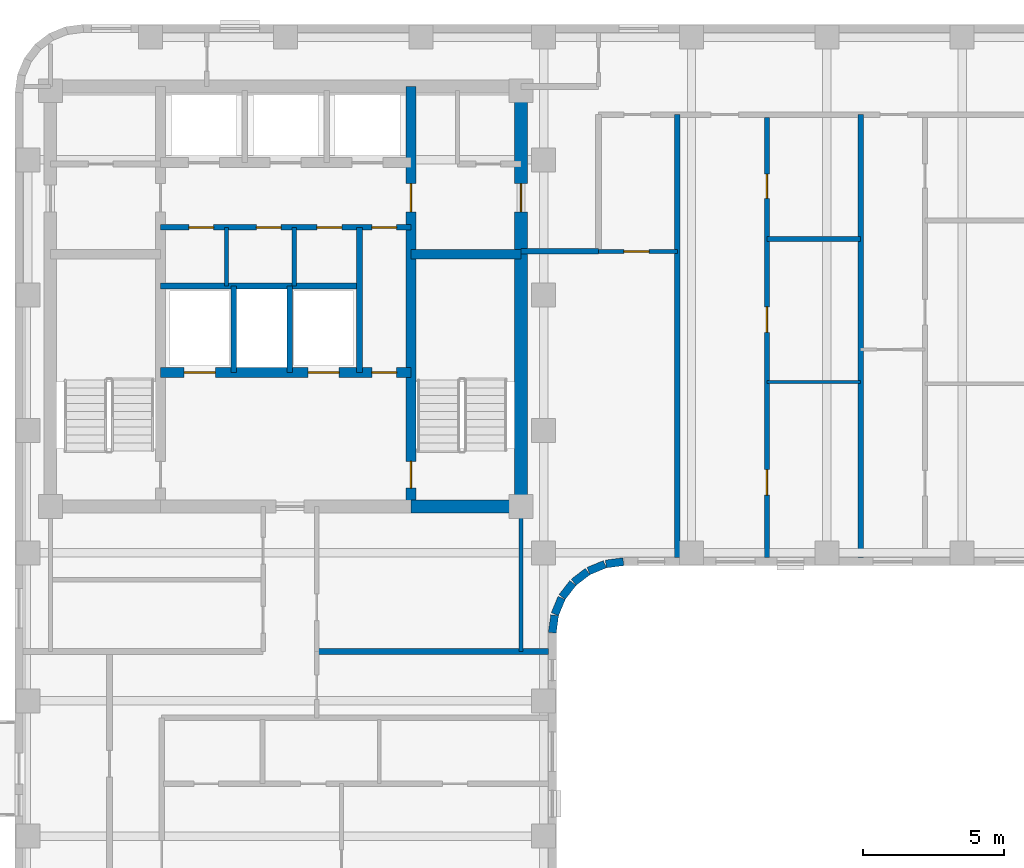
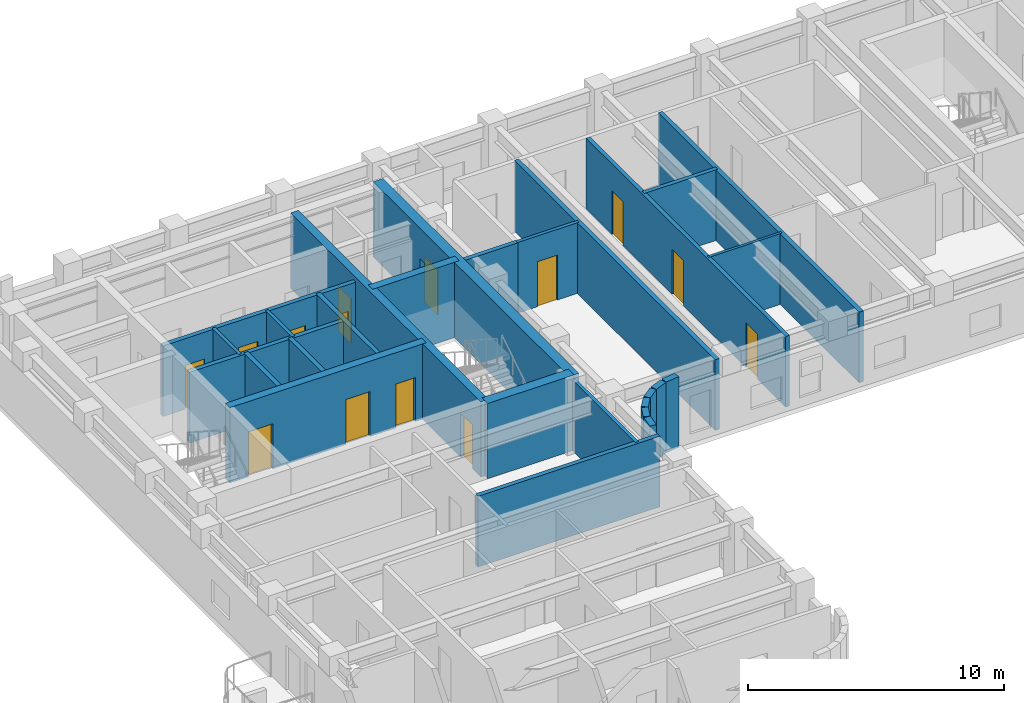
# One storey, part 4 of 10: 27 walls, 14 doors, 14 openings.
"""IFC4 building model written with IfcOpenShell, lengths in metres."""

from ifc_helpers import new_model, si_unit, direction, frame, frame_2d, origin, place, context, subcontext, project, spatial, rectangle, extrude, material, layer, layer_set, type_object, element, fill, save


model = new_model("IFC4")

# Units and contexts
model_context = context("Model", 3, precision=1e-05, world=origin(), true_north=direction((0.0, 1.0)))
body_context = subcontext(model_context, "Body", "Model", "MODEL_VIEW")
ifc_project = project(units=[si_unit("LENGTHUNIT", "METRE"), si_unit("AREAUNIT", "SQUARE_METRE"), si_unit("VOLUMEUNIT", "CUBIC_METRE"), si_unit("PLANEANGLEUNIT", "RADIAN"), si_unit("MASSUNIT", "GRAM", prefix="KILO")], contexts=[model_context])

# Site, building, storey
site_placement = place(None, origin())
site = spatial("IfcSite", under=ifc_project, at=site_placement, CompositionType="ELEMENT")
building_placement = place(site_placement, origin())
building = spatial("IfcBuilding", under=site, at=building_placement, Name="Orvandelia Arch Residences", CompositionType="ELEMENT")
storey_placement = place(building_placement, frame((0.0, 0.0, 207.39990234375)))
storey = spatial("IfcBuildingStorey", under=building, at=storey_placement, Name="L54", CompositionType="ELEMENT", Elevation=207.39990234375)

# Wall, openings, doors
ifc_material_1 = material(Name="Concrete C50/60", Category="concrete")
ifc_layer_1 = layer(ifc_material_1, 0.35009765625, Name="Concrete C50/60", Category="concrete")
ifc_layer_set_1 = layer_set([ifc_layer_1], Name="Concrete C50/60")
wall_type_1 = type_object("IfcWallType", Name="WL-CORE-350", PredefinedType="SHEAR", material=ifc_layer_set_1)
wall_1_placement = place(storey_placement, frame((18.840087890625, 30.89990234375, 0.0), z_axis=(0.0, 0.0, 1.0), x_axis=(0.0, 1.0, 0.0)))
wall_1 = element("IfcWall", 1, at=wall_1_placement, inside=storey, type_object=wall_type_1, Name="Core Shear Wall L54-WEB2", PredefinedType="SHEAR", context=body_context, shape_type="SweptSolid", body=[
    extrude(rectangle(XDim=14.900146484375, YDim=0.35009765625, at=frame_2d((7.4501953125, 0.0))), origin(), (0.0, 0.0, 1.0), 3.60009765625),
])
opening_1_placement = place(wall_1_placement, frame((0.64990234375, 0.0, 0.0)))
opening_1 = element("IfcOpeningElement", 2, at=opening_1_placement, cuts=wall_1, Name="Opening D7", PredefinedType="OPENING", context=body_context, shape_type="SweptSolid", body=[
    extrude(rectangle(XDim=0.949951171875, YDim=2.10009765625, at=frame_2d((0.47509765625, 1.050048828125))), frame((0.0, 0.18505859375, 0.0), z_axis=(0.0, -1.0, 0.0), x_axis=(1.0, 0.0, 0.0)), (0.0, 0.0, 1.0), 0.3701171875),
])
opening_2_placement = place(wall_1_placement, frame((10.449951171875, 0.0, 0.0)))
opening_2 = element("IfcOpeningElement", 3, at=opening_2_placement, cuts=wall_1, Name="Opening D6", PredefinedType="OPENING", context=body_context, shape_type="SweptSolid", body=[
    extrude(rectangle(XDim=1.0, YDim=2.14990234375, at=frame_2d((0.5, 1.074951171875))), frame((0.0, 0.18505859375, 0.0), z_axis=(0.0, -1.0, 0.0), x_axis=(1.0, 0.0, 0.0)), (0.0, 0.0, 1.0), 0.3701171875),
])
ifc_material_2 = material(Name="Smokeproof Painted Steel Fire Door", Category="steel")
door_type_1 = type_object("IfcDoorType", Name="DR-FD60-1000", OperationType="NOTDEFINED", PredefinedType="DOOR", material=ifc_material_2)
door_1_placement = place(opening_2_placement, origin())
door_1 = element("IfcDoor", 4, at=door_1_placement, inside=storey, type_object=door_type_1, Name="High-Rise Lift Hall East Vestibule Door L54", OperationType="SINGLE_SWING_RIGHT", OverallHeight=2.14990234375, OverallWidth=1.0, PredefinedType="DOOR", context=body_context, shape_type="SweptSolid", body=[
    extrude(rectangle(XDim=1.0, YDim=2.14990234375, at=frame_2d((0.5, 1.074951171875))), frame((0.0, 0.02490234375, 0.0), z_axis=(0.0, -1.0, 0.0), x_axis=(1.0, 0.0, 0.0)), (0.0, 0.0, 1.0), 0.050048828125),
])
fill(opening_2, door_1)
ifc_material_3 = material(Name="Pressurised Stairwell Fire Door")
door_type_2 = type_object("IfcDoorType", Name="DR-STAIR-950", OperationType="NOTDEFINED", PredefinedType="DOOR", material=ifc_material_3)
door_2_placement = place(opening_1_placement, origin())
door_2 = element("IfcDoor", 5, at=door_2_placement, inside=storey, type_object=door_type_2, Name="Stairwell ST-2 Fire Door L54", OperationType="SINGLE_SWING_RIGHT", OverallHeight=2.10009765625, OverallWidth=0.949951171875, PredefinedType="DOOR", context=body_context, shape_type="SweptSolid", body=[
    extrude(rectangle(XDim=0.949951171875, YDim=2.10009765625, at=frame_2d((0.47509765625, 1.050048828125))), frame((0.0, 0.02490234375, 0.0), z_axis=(0.0, -1.0, 0.0), x_axis=(1.0, 0.0, 0.0)), (0.0, 0.0, 1.0), 0.050048828125),
])
fill(opening_1, door_2)

# Wall
wall_2_placement = place(storey_placement, frame((18.840087890625, 39.85009765625, 0.0), z_axis=(0.0, 0.0, 1.0), x_axis=(1.0, 0.0, 0.0)))
element("IfcWall", 6, at=wall_2_placement, inside=storey, type_object=wall_type_1, Name="Core Shear Wall L54-HZ2", PredefinedType="SHEAR", context=body_context, shape_type="SweptSolid", body=[
    extrude(rectangle(XDim=3.909912109375, YDim=0.35009765625, at=frame_2d((1.955078125, 0.0))), origin(), (0.0, 0.0, 1.0), 3.60009765625),
])

# Wall, openings, doors
wall_3_placement = place(storey_placement, frame((9.9599609375, 35.64990234375, 0.0), z_axis=(0.0, 0.0, 1.0), x_axis=(1.0, 0.0, 0.0)))
wall_3 = element("IfcWall", 7, at=wall_3_placement, inside=storey, type_object=wall_type_1, Name="Core Shear Wall L54-HZ3", PredefinedType="SHEAR", context=body_context, shape_type="SweptSolid", body=[
    extrude(rectangle(XDim=8.880126953125, YDim=0.35009765625, at=frame_2d((4.43994140625, 0.0))), origin(), (0.0, 0.0, 1.0), 3.60009765625),
])
opening_3_placement = place(wall_3_placement, frame((0.840087890625, 0.0, 0.0)))
opening_3 = element("IfcOpeningElement", 8, at=opening_3_placement, cuts=wall_3, Name="Opening FLD", PredefinedType="OPENING", context=body_context, shape_type="SweptSolid", body=[
    extrude(rectangle(XDim=1.10009765625, YDim=2.14990234375, at=frame_2d((0.550048828125, 1.074951171875))), frame((0.0, 0.18505859375, 0.0), z_axis=(0.0, -1.0, 0.0), x_axis=(1.0, 0.0, 0.0)), (0.0, 0.0, 1.0), 0.3701171875),
])
opening_4_placement = place(wall_3_placement, frame((5.239990234375, 0.0, 0.0)))
opening_4 = element("IfcOpeningElement", 9, at=opening_4_placement, cuts=wall_3, Name="Opening FLD", PredefinedType="OPENING", context=body_context, shape_type="SweptSolid", body=[
    extrude(rectangle(XDim=1.10009765625, YDim=2.14990234375, at=frame_2d((0.550048828125, 1.074951171875))), frame((0.0, 0.18505859375, 0.0), z_axis=(0.0, -1.0, 0.0), x_axis=(1.0, 0.0, 0.0)), (0.0, 0.0, 1.0), 0.3701171875),
])
opening_5_placement = place(wall_3_placement, frame((7.5, 0.0, 0.0)))
opening_5 = element("IfcOpeningElement", 10, at=opening_5_placement, cuts=wall_3, Name="Opening D5", PredefinedType="OPENING", context=body_context, shape_type="SweptSolid", body=[
    extrude(rectangle(XDim=0.8798828125, YDim=2.10009765625, at=frame_2d((0.43994140625, 1.050048828125))), frame((0.0, 0.18505859375, 0.0), z_axis=(0.0, -1.0, 0.0), x_axis=(1.0, 0.0, 0.0)), (0.0, 0.0, 1.0), 0.3701171875),
])
ifc_material_4 = material(Name="Firefighting Lift Stainless Sliding Door")
door_type_3 = type_object("IfcDoorType", Name="DR-FLFT-1100", OperationType="NOTDEFINED", PredefinedType="DOOR", material=ifc_material_4)
door_3_placement = place(opening_3_placement, origin())
door_3 = element("IfcDoor", 11, at=door_3_placement, inside=storey, type_object=door_type_3, Name="Firefighting Lift Landing Door FLD-FL1-L54", OperationType="SLIDING_TO_LEFT", OverallHeight=2.14990234375, OverallWidth=1.10009765625, PredefinedType="DOOR", context=body_context, shape_type="SweptSolid", body=[
    extrude(rectangle(XDim=1.10009765625, YDim=2.14990234375, at=frame_2d((0.550048828125, 1.074951171875))), frame((0.0, 0.02490234375, 0.0), z_axis=(0.0, -1.0, 0.0), x_axis=(1.0, 0.0, 0.0)), (0.0, 0.0, 1.0), 0.050048828125),
])
fill(opening_3, door_3)
door_4_placement = place(opening_4_placement, origin())
door_4 = element("IfcDoor", 12, at=door_4_placement, inside=storey, type_object=door_type_3, Name="Firefighting Lift Landing Door FLD-FL2-L54", OperationType="SLIDING_TO_RIGHT", OverallHeight=2.14990234375, OverallWidth=1.10009765625, PredefinedType="DOOR", context=body_context, shape_type="SweptSolid", body=[
    extrude(rectangle(XDim=1.10009765625, YDim=2.14990234375, at=frame_2d((0.550048828125, 1.074951171875))), frame((0.0, 0.02490234375, 0.0), z_axis=(0.0, -1.0, 0.0), x_axis=(1.0, 0.0, 0.0)), (0.0, 0.0, 1.0), 0.050048828125),
])
fill(opening_4, door_4)
ifc_material_5 = material(Name="Painted Galvanised Steel Service Door", Category="steel")
door_type_4 = type_object("IfcDoorType", Name="DR-SRV-880", OperationType="NOTDEFINED", PredefinedType="DOOR", material=ifc_material_5)
door_5_placement = place(opening_5_placement, origin())
door_5 = element("IfcDoor", 13, at=door_5_placement, inside=storey, type_object=door_type_4, Name="Core Stairway Passage South Fire Door L54", OperationType="SINGLE_SWING_LEFT", OverallHeight=2.10009765625, OverallWidth=0.8798828125, PredefinedType="DOOR", context=body_context, shape_type="SweptSolid", body=[
    extrude(rectangle(XDim=0.8798828125, YDim=2.10009765625, at=frame_2d((0.43994140625, 1.050048828125))), frame((0.0, 0.02490234375, 0.0), z_axis=(0.0, -1.0, 0.0), x_axis=(1.0, 0.0, 0.0)), (0.0, 0.0, 1.0), 0.050048828125),
])
fill(opening_5, door_5)

# Wall, opening, door
ifc_layer_2 = layer(ifc_material_1, 0.449951171875, Name="Concrete C50/60", Category="concrete")
ifc_layer_set_2 = layer_set([ifc_layer_2], Name="Concrete C50/60")
wall_type_2 = type_object("IfcWallType", Name="WL-CORE-450", PredefinedType="SHEAR", material=ifc_layer_set_2)
wall_4_placement = place(storey_placement, frame((22.75, 30.675048828125, 0.0), z_axis=(0.0, 0.0, 1.0), x_axis=(0.0, 1.0, 0.0)))
wall_4 = element("IfcWall", 14, at=wall_4_placement, inside=storey, type_object=wall_type_2, Name="Core Shear Wall L54-E", PredefinedType="SHEAR", context=body_context, shape_type="SweptSolid", body=[
    extrude(rectangle(XDim=15.349853515625, YDim=0.449951171875, at=frame_2d((7.6748046875, 0.0))), origin(), (0.0, 0.0, 1.0), 3.60009765625),
])
opening_6_placement = place(wall_4_placement, frame((10.675048828125, 0.0, 0.0)))
opening_6 = element("IfcOpeningElement", 15, at=opening_6_placement, cuts=wall_4, Name="Opening D6", PredefinedType="OPENING", context=body_context, shape_type="SweptSolid", body=[
    extrude(rectangle(XDim=1.0, YDim=2.14990234375, at=frame_2d((0.5, 1.074951171875))), frame((0.0, 0.23486328125, 0.0), z_axis=(0.0, -1.0, 0.0), x_axis=(1.0, 0.0, 0.0)), (0.0, 0.0, 1.0), 0.469970703125),
])
door_6_placement = place(opening_6_placement, origin())
door_6 = element("IfcDoor", 16, at=door_6_placement, inside=storey, type_object=door_type_1, Name="Core East Corridor Link Door L54", OperationType="SINGLE_SWING_LEFT", OverallHeight=2.14990234375, OverallWidth=1.0, PredefinedType="DOOR", context=body_context, shape_type="SweptSolid", body=[
    extrude(rectangle(XDim=1.0, YDim=2.14990234375, at=frame_2d((0.5, 1.074951171875))), frame((0.0, 0.02490234375, 0.0), z_axis=(0.0, -1.0, 0.0), x_axis=(1.0, 0.0, 0.0)), (0.0, 0.0, 1.0), 0.050048828125),
])
fill(opening_6, door_6)

# Walls
wall_5_placement = place(storey_placement, frame((18.840087890625, 30.89990234375, 0.0), z_axis=(0.0, 0.0, 1.0), x_axis=(1.0, 0.0, 0.0)))
element("IfcWall", 17, at=wall_5_placement, inside=storey, type_object=wall_type_2, Name="Core Shear Wall L54-SE", PredefinedType="SHEAR", context=body_context, shape_type="SweptSolid", body=[
    extrude(rectangle(XDim=3.909912109375, YDim=0.449951171875, at=frame_2d((1.955078125, 0.0))), origin(), (0.0, 0.0, 1.0), 3.60009765625),
])
ifc_material_6 = material(Name="Fire-Rated Corridor Partition")
ifc_layer_3 = layer(ifc_material_6, 0.199951171875, Name="Fire-Rated Corridor Partition")
ifc_layer_set_3 = layer_set([ifc_layer_3], Name="Fire-Rated Corridor Partition")
wall_type_3 = type_object("IfcWallType", Name="WL-CORR-200", PredefinedType="PARTITIONING", material=ifc_layer_set_3)
wall_6_placement = place(storey_placement, frame((15.5, 25.75, 0.0), z_axis=(0.0, 0.0, 1.0), x_axis=(1.0, 0.0, 0.0)))
element("IfcWall", 18, at=wall_6_placement, inside=storey, type_object=wall_type_3, Name="Interior Partition Wall WL-L54-WLNK-NE2", PredefinedType="PARTITIONING", context=body_context, shape_type="SweptSolid", body=[
    extrude(rectangle(XDim=8.219970703125, YDim=0.199951171875, at=frame_2d((4.10986328125, 0.0))), origin(), (0.0, 0.0, 1.0), 3.380126953125),
])
wall_7_placement = place(storey_placement, frame((22.75, 39.949951171875, 0.0), z_axis=(0.0, 0.0, 1.0), x_axis=(1.0, 0.0, 0.0)))
element("IfcWall", 19, at=wall_7_placement, inside=storey, type_object=wall_type_3, Name="Interior Partition Wall WL-L54-EN2-LS", PredefinedType="PARTITIONING", context=body_context, shape_type="SweptSolid", body=[
    extrude(rectangle(XDim=2.75, YDim=0.199951171875, at=frame_2d((1.375, 0.0))), origin(), (0.0, 0.0, 1.0), 3.380126953125),
])
ifc_material_7 = material(Name="Concrete C40/50", Category="concrete")
ifc_layer_4 = layer(ifc_material_7, 0.199951171875, Name="Concrete C40/50", Category="concrete")
ifc_layer_set_4 = layer_set([ifc_layer_4], Name="Concrete C40/50")
wall_type_4 = type_object("IfcWallType", Name="WL-DEM-200", PredefinedType="SOLIDWALL", material=ifc_layer_set_4)
for number, where, z_axis, x_axis, name in (
    (20, (28.300048828125, 29.080078125, 0.0), (0.0, 0.0, 1.0), (0.0, 1.0, 0.0), "Interior Partition Wall WL-L54-EN2-KLE"),
    (21, (34.800048828125, 29.080078125, 0.0), (0.0, 0.0, 1.0), (0.0, 1.0, 0.0), "Interior Partition Wall WL-L54-DEM-EN2-348"),
):
    element("IfcWall", number, at=place(storey_placement, frame(where, z_axis=z_axis, x_axis=x_axis)), inside=storey, type_object=wall_type_4, Name=name, PredefinedType="SOLIDWALL", context=body_context, shape_type="SweptSolid", body=[
        extrude(rectangle(XDim=15.719970703125, YDim=0.199951171875, at=frame_2d((7.85986328125, 0.0))), origin(), (0.0, 0.0, 1.0), 3.380126953125),
    ])
ifc_material_8 = material(Name="Precast concrete C40/50", Category="concrete")
ifc_layer_5 = layer(ifc_material_8, 0.280029296875, Name="Precast concrete C40/50", Category="concrete")
ifc_layer_set_5 = layer_set([ifc_layer_5], Name="Precast concrete C40/50")
wall_type_5 = type_object("IfcWallType", Name="WL-EXT-STONE-280", PredefinedType="STANDARD", material=ifc_layer_set_5)
wall_8_placement = place(storey_placement, frame((26.381591796875, 28.938720703125, 0.0), z_axis=(0.0, 0.0, 1.0), x_axis=(-0.9914410257, -0.130555323746, 0.0)))
element("IfcWall", 22, at=wall_8_placement, inside=storey, type_object=wall_type_5, Name="Coral-Limestone Precast Facade Wall L54-022", PredefinedType="STANDARD", context=body_context, shape_type="SweptSolid", body=[
    extrude(rectangle(XDim=0.62646484375, YDim=0.280029296875, at=frame_2d((0.313232421875, 0.0))), origin(), (0.0, 0.0, 1.0), 3.380126953125),
])
wall_9_placement = place(storey_placement, frame((25.72509765625, 28.847412109375, 0.0), z_axis=(0.0, 0.0, 1.0), x_axis=(-0.923974080304, -0.382455093999, 0.0)))
element("IfcWall", 23, at=wall_9_placement, inside=storey, type_object=wall_type_5, Name="Coral-Limestone Precast Facade Wall L54-023", PredefinedType="STANDARD", context=body_context, shape_type="SweptSolid", body=[
    extrude(rectangle(XDim=0.626220703125, YDim=0.280029296875, at=frame_2d((0.31298828125, 0.0))), origin(), (0.0, 0.0, 1.0), 3.380126953125),
])
for number, where, z_axis, x_axis, name in (
    (24, (25.11474609375, 28.589599609375, 0.0), (0.0, 0.0, 1.0), (-0.793405610854, -0.608693302629, 0.0), "Coral-Limestone Precast Facade Wall L54-024"),
    (25, (24.591796875, 28.182373046875, 0.0), (0.0, 0.0, 1.0), (-0.608693302629, -0.793405610854, 0.0), "Coral-Limestone Precast Facade Wall L54-025"),
    (26, (24.192138671875, 27.653564453125, 0.0), (0.0, 0.0, 1.0), (-0.382650053678, -0.92389335771, 0.0), "Coral-Limestone Precast Facade Wall L54-026"),
):
    element("IfcWall", number, at=place(storey_placement, frame(where, z_axis=z_axis, x_axis=x_axis)), inside=storey, type_object=wall_type_5, Name=name, PredefinedType="STANDARD", context=body_context, shape_type="SweptSolid", body=[
        extrude(rectangle(XDim=0.62646484375, YDim=0.280029296875, at=frame_2d((0.313232421875, 0.0))), origin(), (0.0, 0.0, 1.0), 3.380126953125),
    ])
wall_10_placement = place(storey_placement, frame((23.943115234375, 27.03955078125, 0.0), z_axis=(0.0, 0.0, 1.0), x_axis=(-0.130887801573, -0.991397187508, 0.0)))
element("IfcWall", 27, at=wall_10_placement, inside=storey, type_object=wall_type_5, Name="Coral-Limestone Precast Facade Wall L54-027", PredefinedType="STANDARD", context=body_context, shape_type="SweptSolid", body=[
    extrude(rectangle(XDim=0.626708984375, YDim=0.280029296875, at=frame_2d((0.3134765625, 0.0))), origin(), (0.0, 0.0, 1.0), 3.380126953125),
])
ifc_material_9 = material(Name="Lightweight Gypsum Stud Partition")
ifc_layer_6 = layer(ifc_material_9, 0.1201171875, Name="Lightweight Gypsum Stud Partition")
ifc_layer_set_6 = layer_set([ifc_layer_6], Name="Lightweight Gypsum Stud Partition")
wall_type_6 = type_object("IfcWallType", Name="WL-PART-120", PredefinedType="PARTITIONING", material=ifc_layer_set_6)
wall_11_placement = place(storey_placement, frame((31.47509765625, 35.31591796875, 0.0), z_axis=(0.0, 0.0, 1.0), x_axis=(1.0, 0.0, 0.0)))
element("IfcWall", 28, at=wall_11_placement, inside=storey, type_object=wall_type_6, Name="Interior Partition Wall WL-L54-U03-H1", PredefinedType="PARTITIONING", context=body_context, shape_type="SweptSolid", body=[
    extrude(rectangle(XDim=3.324951171875, YDim=0.1201171875, at=frame_2d((1.66259765625, 0.0))), origin(), (0.0, 0.0, 1.0), 3.380126953125),
])
ifc_material_10 = material(Name="Acoustic Gypsum Stud Partition")
ifc_layer_7 = layer(ifc_material_10, 0.14990234375, Name="Acoustic Gypsum Stud Partition")
ifc_layer_set_7 = layer_set([ifc_layer_7], Name="Acoustic Gypsum Stud Partition")
wall_type_7 = type_object("IfcWallType", Name="WL-PART-150", PredefinedType="PARTITIONING", material=ifc_layer_set_7)
for number, where, z_axis, x_axis, name in (
    (29, (12.300048828125, 38.719970703125, 0.0), (0.0, 0.0, 1.0), (0.0, 1.0, 0.0), "Interior Partition Wall WL-L54-CSA-1"),
    (30, (14.699951171875, 38.719970703125, 0.0), (0.0, 0.0, 1.0), (0.0, 1.0, 0.0), "Interior Partition Wall WL-L54-CSA-2"),
):
    element("IfcWall", number, at=place(storey_placement, frame(where, z_axis=z_axis, x_axis=x_axis)), inside=storey, type_object=wall_type_7, Name=name, PredefinedType="PARTITIONING", context=body_context, shape_type="SweptSolid", body=[
        extrude(rectangle(XDim=2.080078125, YDim=0.14990234375, at=frame_2d((1.0400390625, 0.0))), origin(), (0.0, 0.0, 1.0), 3.380126953125),
    ])
wall_12_placement = place(storey_placement, frame((22.75, 25.75, 0.0), z_axis=(0.0, 0.0, 1.0), x_axis=(0.0, 1.0, 0.0)))
element("IfcWall", 31, at=wall_12_placement, inside=storey, type_object=wall_type_7, Name="Interior Partition Wall WL-L54-HI-WE", PredefinedType="PARTITIONING", context=body_context, shape_type="SweptSolid", body=[
    extrude(rectangle(XDim=5.14990234375, YDim=0.14990234375, at=frame_2d((2.574951171875, 0.0))), origin(), (0.0, 0.0, 1.0), 3.380126953125),
])

# Wall, opening, door
wall_13_placement = place(storey_placement, frame((25.5, 39.949951171875, 0.0), z_axis=(0.0, 0.0, 1.0), x_axis=(1.0, 0.0, 0.0)))
wall_13 = element("IfcWall", 32, at=wall_13_placement, inside=storey, type_object=wall_type_7, Name="Interior Partition Wall WL-L54-EN2-KLN", PredefinedType="PARTITIONING", context=body_context, shape_type="SweptSolid", body=[
    extrude(rectangle(XDim=2.800048828125, YDim=0.14990234375, at=frame_2d((1.39990234375, 0.0))), origin(), (0.0, 0.0, 1.0), 3.380126953125),
])
opening_7_placement = place(wall_13_placement, frame((0.89990234375, 0.0, 0.0)))
opening_7 = element("IfcOpeningElement", 33, at=opening_7_placement, cuts=wall_13, Name="Opening D3", PredefinedType="OPENING", context=body_context, shape_type="SweptSolid", body=[
    extrude(rectangle(XDim=0.89990234375, YDim=2.14990234375, at=frame_2d((0.449951171875, 1.074951171875))), frame((0.0, 0.0849609375, 0.0), z_axis=(0.0, -1.0, 0.0), x_axis=(1.0, 0.0, 0.0)), (0.0, 0.0, 1.0), 0.169921875),
])
ifc_material_11 = material(Name="Engineered Timber Flush Door", Category="wood")
door_type_5 = type_object("IfcDoorType", Name="DR-INT-900", OperationType="NOTDEFINED", PredefinedType="DOOR", material=ifc_material_11)
door_7_placement = place(opening_7_placement, origin())
door_7 = element("IfcDoor", 34, at=door_7_placement, inside=storey, type_object=door_type_5, Name="DR-L54-EN2KNK", OperationType="SINGLE_SWING_RIGHT", OverallHeight=2.14990234375, OverallWidth=0.89990234375, PredefinedType="DOOR", context=body_context, shape_type="SweptSolid", body=[
    extrude(rectangle(XDim=0.89990234375, YDim=2.14990234375, at=frame_2d((0.449951171875, 1.074951171875))), frame((0.0, 0.02490234375, 0.0), z_axis=(0.0, -1.0, 0.0), x_axis=(1.0, 0.0, 0.0)), (0.0, 0.0, 1.0), 0.050048828125),
])
fill(opening_7, door_7)

# Walls
ifc_material_12 = material(Name="Fire-Rated Shaft Enclosure Wall")
ifc_layer_8 = layer(ifc_material_12, 0.199951171875, Name="Fire-Rated Shaft Enclosure Wall")
ifc_layer_set_8 = layer_set([ifc_layer_8], Name="Fire-Rated Shaft Enclosure Wall")
wall_type_8 = type_object("IfcWallType", Name="WL-SHAFT-200", PredefinedType="POLYGONAL", material=ifc_layer_set_8)
wall_14_placement = place(storey_placement, frame((9.9599609375, 38.719970703125, 0.0), z_axis=(0.0, 0.0, 1.0), x_axis=(1.0, 0.0, 0.0)))
element("IfcWall", 35, at=wall_14_placement, inside=storey, type_object=wall_type_8, Name="Interior Partition Wall WL-L54-FLN", PredefinedType="POLYGONAL", context=body_context, shape_type="SweptSolid", body=[
    extrude(rectangle(XDim=7.06005859375, YDim=0.199951171875, at=frame_2d((3.530029296875, 0.0))), origin(), (0.0, 0.0, 1.0), 3.380126953125),
])
for number, where, z_axis, x_axis, name in (
    (36, (12.550048828125, 35.64990234375, 0.0), (0.0, 0.0, 1.0), (0.0, 1.0, 0.0), "Interior Partition Wall WL-L54-FLM1"),
    (37, (14.550048828125, 35.64990234375, 0.0), (0.0, 0.0, 1.0), (0.0, 1.0, 0.0), "Interior Partition Wall WL-L54-FLM2"),
):
    element("IfcWall", number, at=place(storey_placement, frame(where, z_axis=z_axis, x_axis=x_axis)), inside=storey, type_object=wall_type_8, Name=name, PredefinedType="POLYGONAL", context=body_context, shape_type="SweptSolid", body=[
        extrude(rectangle(XDim=3.070068359375, YDim=0.199951171875, at=frame_2d((1.53515625, 0.0))), origin(), (0.0, 0.0, 1.0), 3.380126953125),
    ])
wall_15_placement = place(storey_placement, frame((17.02001953125, 35.64990234375, 0.0), z_axis=(0.0, 0.0, 1.0), x_axis=(0.0, 1.0, 0.0)))
element("IfcWall", 38, at=wall_15_placement, inside=storey, type_object=wall_type_8, Name="Interior Partition Wall WL-L54-FLM3", PredefinedType="POLYGONAL", context=body_context, shape_type="SweptSolid", body=[
    extrude(rectangle(XDim=5.150146484375, YDim=0.199951171875, at=frame_2d((2.5751953125, 0.0))), origin(), (0.0, 0.0, 1.0), 3.380126953125),
])

# Wall, openings, doors
wall_16_placement = place(storey_placement, frame((9.9599609375, 40.800048828125, 0.0), z_axis=(0.0, 0.0, 1.0), x_axis=(1.0, 0.0, 0.0)))
wall_16 = element("IfcWall", 39, at=wall_16_placement, inside=storey, type_object=wall_type_8, Name="Interior Partition Wall WL-L54-HLH-S", PredefinedType="POLYGONAL", context=body_context, shape_type="SweptSolid", body=[
    extrude(rectangle(XDim=8.880126953125, YDim=0.199951171875, at=frame_2d((4.43994140625, 0.0))), origin(), (0.0, 0.0, 1.0), 3.380126953125),
])
opening_8_placement = place(wall_16_placement, frame((7.5, 0.0, 0.0)))
opening_8 = element("IfcOpeningElement", 40, at=opening_8_placement, cuts=wall_16, Name="Opening D5", PredefinedType="OPENING", context=body_context, shape_type="SweptSolid", body=[
    extrude(rectangle(XDim=0.8798828125, YDim=2.10009765625, at=frame_2d((0.43994140625, 1.050048828125))), frame((0.0, 0.10986328125, 0.0), z_axis=(0.0, -1.0, 0.0), x_axis=(1.0, 0.0, 0.0)), (0.0, 0.0, 1.0), 0.219970703125),
])
opening_9_placement = place(wall_16_placement, frame((1.0, 0.0, 0.0)))
opening_9 = element("IfcOpeningElement", 41, at=opening_9_placement, cuts=wall_16, Name="Opening D5", PredefinedType="OPENING", context=body_context, shape_type="SweptSolid", body=[
    extrude(rectangle(XDim=0.8798828125, YDim=2.10009765625, at=frame_2d((0.43994140625, 1.050048828125))), frame((0.0, 0.10986328125, 0.0), z_axis=(0.0, -1.0, 0.0), x_axis=(1.0, 0.0, 0.0)), (0.0, 0.0, 1.0), 0.219970703125),
])
opening_10_placement = place(wall_16_placement, frame((3.39990234375, 0.0, 0.0)))
opening_10 = element("IfcOpeningElement", 42, at=opening_10_placement, cuts=wall_16, Name="Opening D5", PredefinedType="OPENING", context=body_context, shape_type="SweptSolid", body=[
    extrude(rectangle(XDim=0.8798828125, YDim=2.10009765625, at=frame_2d((0.43994140625, 1.050048828125))), frame((0.0, 0.10986328125, 0.0), z_axis=(0.0, -1.0, 0.0), x_axis=(1.0, 0.0, 0.0)), (0.0, 0.0, 1.0), 0.219970703125),
])
opening_11_placement = place(wall_16_placement, frame((5.550048828125, 0.0, 0.0)))
opening_11 = element("IfcOpeningElement", 43, at=opening_11_placement, cuts=wall_16, Name="Opening D5", PredefinedType="OPENING", context=body_context, shape_type="SweptSolid", body=[
    extrude(rectangle(XDim=0.8798828125, YDim=2.10009765625, at=frame_2d((0.43994140625, 1.050048828125))), frame((0.0, 0.10986328125, 0.0), z_axis=(0.0, -1.0, 0.0), x_axis=(1.0, 0.0, 0.0)), (0.0, 0.0, 1.0), 0.219970703125),
])
door_8_placement = place(opening_8_placement, origin())
door_8 = element("IfcDoor", 44, at=door_8_placement, inside=storey, type_object=door_type_4, Name="Core Stairway Passage North Fire Door L54", OperationType="SINGLE_SWING_RIGHT", OverallHeight=2.10009765625, OverallWidth=0.8798828125, PredefinedType="DOOR", context=body_context, shape_type="SweptSolid", body=[
    extrude(rectangle(XDim=0.8798828125, YDim=2.10009765625, at=frame_2d((0.43994140625, 1.050048828125))), frame((0.0, 0.02490234375, 0.0), z_axis=(0.0, -1.0, 0.0), x_axis=(1.0, 0.0, 0.0)), (0.0, 0.0, 1.0), 0.050048828125),
])
fill(opening_8, door_8)
door_9_placement = place(opening_9_placement, origin())
door_9 = element("IfcDoor", 45, at=door_9_placement, inside=storey, type_object=door_type_4, Name="DR-L54-CSA1", OperationType="SINGLE_SWING_LEFT", OverallHeight=2.10009765625, OverallWidth=0.8798828125, PredefinedType="DOOR", context=body_context, shape_type="SweptSolid", body=[
    extrude(rectangle(XDim=0.8798828125, YDim=2.10009765625, at=frame_2d((0.43994140625, 1.050048828125))), frame((0.0, 0.02490234375, 0.0), z_axis=(0.0, -1.0, 0.0), x_axis=(1.0, 0.0, 0.0)), (0.0, 0.0, 1.0), 0.050048828125),
])
fill(opening_9, door_9)
door_10_placement = place(opening_10_placement, origin())
door_10 = element("IfcDoor", 46, at=door_10_placement, inside=storey, type_object=door_type_4, Name="DR-L54-CSA2", OperationType="SINGLE_SWING_RIGHT", OverallHeight=2.10009765625, OverallWidth=0.8798828125, PredefinedType="DOOR", context=body_context, shape_type="SweptSolid", body=[
    extrude(rectangle(XDim=0.8798828125, YDim=2.10009765625, at=frame_2d((0.43994140625, 1.050048828125))), frame((0.0, 0.02490234375, 0.0), z_axis=(0.0, -1.0, 0.0), x_axis=(1.0, 0.0, 0.0)), (0.0, 0.0, 1.0), 0.050048828125),
])
fill(opening_10, door_10)
door_11_placement = place(opening_11_placement, origin())
door_11 = element("IfcDoor", 47, at=door_11_placement, inside=storey, type_object=door_type_4, Name="DR-L54-CSA3", OperationType="SINGLE_SWING_LEFT", OverallHeight=2.10009765625, OverallWidth=0.8798828125, PredefinedType="DOOR", context=body_context, shape_type="SweptSolid", body=[
    extrude(rectangle(XDim=0.8798828125, YDim=2.10009765625, at=frame_2d((0.43994140625, 1.050048828125))), frame((0.0, 0.02490234375, 0.0), z_axis=(0.0, -1.0, 0.0), x_axis=(1.0, 0.0, 0.0)), (0.0, 0.0, 1.0), 0.050048828125),
])
fill(opening_11, door_11)

ifc_material_13 = material(Name="Moisture-Resistant Plumbing Wall")
ifc_layer_9 = layer(ifc_material_13, 0.179931640625, Name="Moisture-Resistant Plumbing Wall")
ifc_layer_set_9 = layer_set([ifc_layer_9], Name="Moisture-Resistant Plumbing Wall")
wall_type_9 = type_object("IfcWallType", Name="WL-WET-180", PredefinedType="PLUMBINGWALL", material=ifc_layer_set_9)
wall_17_placement = place(storey_placement, frame((31.47509765625, 29.080078125, 0.0), z_axis=(0.0, 0.0, 1.0), x_axis=(0.0, 1.0, 0.0)))
wall_17 = element("IfcWall", 48, at=wall_17_placement, inside=storey, type_object=wall_type_9, Name="Interior Partition Wall WL-L54-U03-VT", PredefinedType="PLUMBINGWALL", context=body_context, shape_type="SweptSolid", body=[
    extrude(rectangle(XDim=15.619873046875, YDim=0.179931640625, at=frame_2d((7.81005859375, 0.0))), origin(), (0.0, 0.0, 1.0), 3.380126953125),
])
opening_12_placement = place(wall_17_placement, frame((2.22265625, 0.0, 0.0)))
opening_12 = element("IfcOpeningElement", 49, at=opening_12_placement, cuts=wall_17, Name="Opening D3", PredefinedType="OPENING", context=body_context, shape_type="SweptSolid", body=[
    extrude(rectangle(XDim=0.89990234375, YDim=2.14990234375, at=frame_2d((0.449951171875, 1.074951171875))), frame((0.0, 0.10009765625, 0.0), z_axis=(0.0, -1.0, 0.0), x_axis=(1.0, 0.0, 0.0)), (0.0, 0.0, 1.0), 0.199951171875),
])
opening_13_placement = place(wall_17_placement, frame((7.998779296875, 0.0, 0.0)))
opening_13 = element("IfcOpeningElement", 50, at=opening_13_placement, cuts=wall_17, Name="Opening D3", PredefinedType="OPENING", context=body_context, shape_type="SweptSolid", body=[
    extrude(rectangle(XDim=0.89990234375, YDim=2.14990234375, at=frame_2d((0.449951171875, 1.074951171875))), frame((0.0, 0.10009765625, 0.0), z_axis=(0.0, -1.0, 0.0), x_axis=(1.0, 0.0, 0.0)), (0.0, 0.0, 1.0), 0.199951171875),
])
opening_14_placement = place(wall_17_placement, frame((12.75048828125, 0.0, 0.0)))
opening_14 = element("IfcOpeningElement", 51, at=opening_14_placement, cuts=wall_17, Name="Opening D4", PredefinedType="OPENING", context=body_context, shape_type="SweptSolid", body=[
    extrude(rectangle(XDim=0.860107421875, YDim=2.10009765625, at=frame_2d((0.43017578125, 1.050048828125))), frame((0.0, 0.10009765625, 0.0), z_axis=(0.0, -1.0, 0.0), x_axis=(1.0, 0.0, 0.0)), (0.0, 0.0, 1.0), 0.199951171875),
])
door_12_placement = place(opening_12_placement, origin())
door_12 = element("IfcDoor", 52, at=door_12_placement, inside=storey, type_object=door_type_5, Name="DR-L54-U03-BD1", OperationType="SINGLE_SWING_LEFT", OverallHeight=2.14990234375, OverallWidth=0.89990234375, PredefinedType="DOOR", context=body_context, shape_type="SweptSolid", body=[
    extrude(rectangle(XDim=0.89990234375, YDim=2.14990234375, at=frame_2d((0.449951171875, 1.074951171875))), frame((0.0, 0.02490234375, 0.0), z_axis=(0.0, -1.0, 0.0), x_axis=(1.0, 0.0, 0.0)), (0.0, 0.0, 1.0), 0.050048828125),
])
fill(opening_12, door_12)
door_13_placement = place(opening_13_placement, origin())
door_13 = element("IfcDoor", 53, at=door_13_placement, inside=storey, type_object=door_type_5, Name="DR-L54-U03-KIT", OperationType="SINGLE_SWING_RIGHT", OverallHeight=2.14990234375, OverallWidth=0.89990234375, PredefinedType="DOOR", context=body_context, shape_type="SweptSolid", body=[
    extrude(rectangle(XDim=0.89990234375, YDim=2.14990234375, at=frame_2d((0.449951171875, 1.074951171875))), frame((0.0, 0.02490234375, 0.0), z_axis=(0.0, -1.0, 0.0), x_axis=(1.0, 0.0, 0.0)), (0.0, 0.0, 1.0), 0.050048828125),
])
fill(opening_13, door_13)
ifc_material_14 = material(Name="Moisture-Sealed Timber Bathroom Door", Category="wood")
door_type_6 = type_object("IfcDoorType", Name="DR-WET-900", OperationType="NOTDEFINED", PredefinedType="DOOR", material=ifc_material_14)
door_14_placement = place(opening_14_placement, origin())
door_14 = element("IfcDoor", 54, at=door_14_placement, inside=storey, type_object=door_type_6, Name="DR-L54-U03-BTH", OperationType="SINGLE_SWING_LEFT", OverallHeight=2.10009765625, OverallWidth=0.860107421875, PredefinedType="DOOR", context=body_context, shape_type="SweptSolid", body=[
    extrude(rectangle(XDim=0.860107421875, YDim=2.10009765625, at=frame_2d((0.43017578125, 1.050048828125))), frame((0.0, 0.02490234375, 0.0), z_axis=(0.0, -1.0, 0.0), x_axis=(1.0, 0.0, 0.0)), (0.0, 0.0, 1.0), 0.050048828125),
])
fill(opening_14, door_14)

# Wall
wall_18_placement = place(storey_placement, frame((31.47509765625, 40.383056640625, 0.0), z_axis=(0.0, 0.0, 1.0), x_axis=(1.0, 0.0, 0.0)))
element("IfcWall", 55, at=wall_18_placement, inside=storey, type_object=wall_type_9, Name="Interior Partition Wall WL-L54-U03-H2", PredefinedType="PLUMBINGWALL", context=body_context, shape_type="SweptSolid", body=[
    extrude(rectangle(XDim=3.324951171875, YDim=0.179931640625, at=frame_2d((1.66259765625, 0.0))), origin(), (0.0, 0.0, 1.0), 3.380126953125),
])

save(model, "model.ifc")
